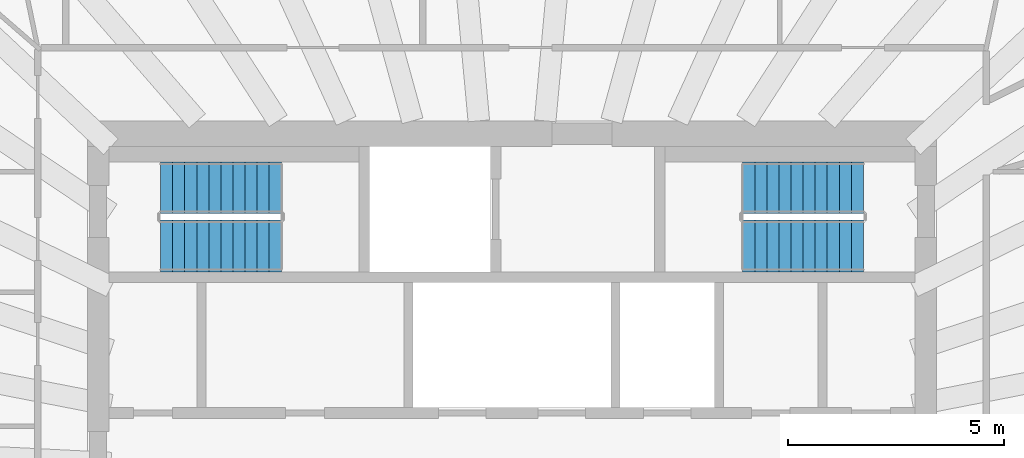
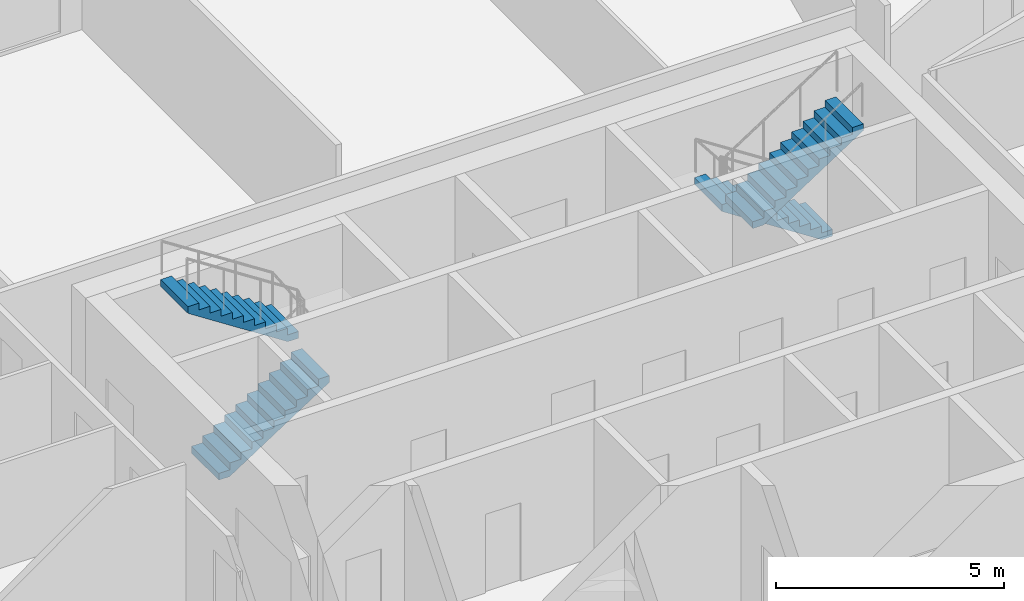
# One storey, part 8 of 12: 4 stair flights, 2 elements without a shape of their own.
"""IFC4 building model written with IfcOpenShell, lengths in metres."""

from ifc_helpers import new_model, si_unit, direction, frame, origin, place, context, subcontext, project, spatial, polyline, outline, extrude, material, layer, layer_set, type_object, element, aggregate, save


model = new_model("IFC4")

# Units and contexts
model_context = context("Model", 3, precision=1e-05, world=origin(), true_north=direction((0.0, 1.0)))
body_context = subcontext(model_context, "Body", "Model", "MODEL_VIEW")
ifc_project = project(units=[si_unit("LENGTHUNIT", "METRE"), si_unit("AREAUNIT", "SQUARE_METRE"), si_unit("VOLUMEUNIT", "CUBIC_METRE"), si_unit("PLANEANGLEUNIT", "RADIAN"), si_unit("MASSUNIT", "GRAM", prefix="KILO")], contexts=[model_context])

# Site, building, storey
site_placement = place(None, origin())
site = spatial("IfcSite", under=ifc_project, at=site_placement, CompositionType="ELEMENT")
building_placement = place(site_placement, origin())
building = spatial("IfcBuilding", under=site, at=building_placement, Name="Frailejon Research Tower", CompositionType="ELEMENT")
storey_placement = place(building_placement, frame((0.0, 0.0, 253.39990234375)))
storey = spatial("IfcBuildingStorey", under=building, at=storey_placement, Name="L55", CompositionType="ELEMENT", Elevation=253.39990234375)

# Stair, stair flights
ifc_material_1 = material(Name="Concrete C50/60", Category="concrete")
stair_type = type_object("IfcStairType", Name="Exit stair 22 risers", PredefinedType="HALF_TURN_STAIR", material=ifc_material_1)
stair_1_placement = place(storey_placement, origin())
stair_1 = element("IfcStair", 1, at=stair_1_placement, inside=storey, type_object=stair_type, Name="L55 Exit stair ST1", PredefinedType="HALF_TURN_STAIR")
ifc_material_2 = material(Name="Concrete C50/60", Category="concrete")
ifc_layer = layer(ifc_material_2, 0.14990234375)
ifc_layer_set = layer_set([ifc_layer], Name="Stair flight 11 risers")
stair_flight_type = type_object("IfcStairFlightType", Name="Stair flight 11 risers", PredefinedType="STRAIGHT", material=ifc_layer_set)
stair_flight_1_placement = place(storey_placement, frame((-8.14990234375, 5.5, 0.0), z_axis=(0.0, 0.0, 1.0), x_axis=(1.0, 0.0, 0.0)))
stair_flight_1 = element("IfcStairFlight", 2, at=stair_flight_1_placement, type_object=stair_flight_type, Name="ST1 flight 1", NumberOfRisers=11, NumberOfTreads=10, PredefinedType="STRAIGHT", RiserHeight=0.181818182, TreadLength=0.28, context=body_context, shape_type="SweptSolid", body=[
    extrude(outline(polyline([(0.0, 0.0), (0.0, 0.181884765625), (0.280029296875, 0.181884765625), (0.280029296875, 0.363525390625), (0.56005859375, 0.363525390625), (0.56005859375, 0.54541015625), (0.840087890625, 0.54541015625), (0.840087890625, 0.727294921875), (1.1201171875, 0.727294921875), (1.1201171875, 0.9091796875), (1.39990234375, 0.9091796875), (1.39990234375, 1.0908203125), (1.679931640625, 1.0908203125), (1.679931640625, 1.272705078125), (1.9599609375, 1.272705078125), (1.9599609375, 1.45458984375), (2.239990234375, 1.45458984375), (2.239990234375, 1.636474609375), (2.52001953125, 1.636474609375), (2.52001953125, 1.818115234375), (2.800048828125, 1.818115234375), (2.800048828125, 2.0), (2.800048828125, 1.639404296875), (0.275146484375, 0.0), (0.0, 0.0)])), frame((0.0, 0.60009765625, 0.0), z_axis=(0.0, -1.0, 0.0), x_axis=(1.0, 0.0, 0.0)), (0.0, 0.0, 1.0), 1.199951171875),
])
stair_flight_2_placement = place(storey_placement, frame((-5.35009765625, 6.85009765625, 2.0), z_axis=(0.0, 0.0, 1.0), x_axis=(-1.0, 0.0, 0.0)))
stair_flight_2 = element("IfcStairFlight", 3, at=stair_flight_2_placement, type_object=stair_flight_type, Name="ST1 flight 2", NumberOfRisers=11, NumberOfTreads=10, PredefinedType="STRAIGHT", RiserHeight=0.181818182, TreadLength=0.28, context=body_context, shape_type="SweptSolid", body=[
    extrude(outline(polyline([(0.0, 0.0), (0.0, 0.181884765625), (0.280029296875, 0.181884765625), (0.280029296875, 0.363525390625), (0.56005859375, 0.363525390625), (0.56005859375, 0.54541015625), (0.840087890625, 0.54541015625), (0.840087890625, 0.727294921875), (1.1201171875, 0.727294921875), (1.1201171875, 0.9091796875), (1.39990234375, 0.9091796875), (1.39990234375, 1.0908203125), (1.679931640625, 1.0908203125), (1.679931640625, 1.272705078125), (1.9599609375, 1.272705078125), (1.9599609375, 1.45458984375), (2.239990234375, 1.45458984375), (2.239990234375, 1.636474609375), (2.52001953125, 1.636474609375), (2.52001953125, 1.818115234375), (2.800048828125, 1.818115234375), (2.800048828125, 2.0), (2.800048828125, 1.639404296875), (0.275146484375, 0.0), (0.0, 0.0)])), frame((0.0, 0.60009765625, 0.0), z_axis=(0.0, -1.0, 0.0), x_axis=(1.0, 0.0, 0.0)), (0.0, 0.0, 1.0), 1.199951171875),
])
aggregate(stair_1, [stair_flight_1, stair_flight_2])

stair_2_placement = place(storey_placement, origin())
stair_2 = element("IfcStair", 4, at=stair_2_placement, inside=storey, type_object=stair_type, Name="L55 Exit stair ST3", PredefinedType="HALF_TURN_STAIR")
stair_flight_3_placement = place(storey_placement, frame((8.14990234375, 6.85009765625, 0.0), z_axis=(0.0, 0.0, 1.0), x_axis=(-1.0, 0.0, 0.0)))
stair_flight_3 = element("IfcStairFlight", 5, at=stair_flight_3_placement, type_object=stair_flight_type, Name="ST3 flight 1", NumberOfRisers=11, NumberOfTreads=10, PredefinedType="STRAIGHT", RiserHeight=0.181818182, TreadLength=0.28, context=body_context, shape_type="SweptSolid", body=[
    extrude(outline(polyline([(0.0, 0.0), (0.0, 0.181884765625), (0.280029296875, 0.181884765625), (0.280029296875, 0.363525390625), (0.56005859375, 0.363525390625), (0.56005859375, 0.54541015625), (0.840087890625, 0.54541015625), (0.840087890625, 0.727294921875), (1.1201171875, 0.727294921875), (1.1201171875, 0.9091796875), (1.39990234375, 0.9091796875), (1.39990234375, 1.0908203125), (1.679931640625, 1.0908203125), (1.679931640625, 1.272705078125), (1.9599609375, 1.272705078125), (1.9599609375, 1.45458984375), (2.239990234375, 1.45458984375), (2.239990234375, 1.636474609375), (2.52001953125, 1.636474609375), (2.52001953125, 1.818115234375), (2.800048828125, 1.818115234375), (2.800048828125, 2.0), (2.800048828125, 1.639404296875), (0.275146484375, 0.0), (0.0, 0.0)])), frame((0.0, 0.60009765625, 0.0), z_axis=(0.0, -1.0, 0.0), x_axis=(1.0, 0.0, 0.0)), (0.0, 0.0, 1.0), 1.199951171875),
])
stair_flight_4_placement = place(storey_placement, frame((5.35009765625, 5.5, 2.0), z_axis=(0.0, 0.0, 1.0), x_axis=(1.0, 0.0, 0.0)))
stair_flight_4 = element("IfcStairFlight", 6, at=stair_flight_4_placement, type_object=stair_flight_type, Name="ST3 flight 2", NumberOfRisers=11, NumberOfTreads=10, PredefinedType="STRAIGHT", RiserHeight=0.181818182, TreadLength=0.28, context=body_context, shape_type="SweptSolid", body=[
    extrude(outline(polyline([(0.0, 0.0), (0.0, 0.181884765625), (0.280029296875, 0.181884765625), (0.280029296875, 0.363525390625), (0.56005859375, 0.363525390625), (0.56005859375, 0.54541015625), (0.840087890625, 0.54541015625), (0.840087890625, 0.727294921875), (1.1201171875, 0.727294921875), (1.1201171875, 0.9091796875), (1.39990234375, 0.9091796875), (1.39990234375, 1.0908203125), (1.679931640625, 1.0908203125), (1.679931640625, 1.272705078125), (1.9599609375, 1.272705078125), (1.9599609375, 1.45458984375), (2.239990234375, 1.45458984375), (2.239990234375, 1.636474609375), (2.52001953125, 1.636474609375), (2.52001953125, 1.818115234375), (2.800048828125, 1.818115234375), (2.800048828125, 2.0), (2.800048828125, 1.639404296875), (0.275146484375, 0.0), (0.0, 0.0)])), frame((0.0, 0.60009765625, 0.0), z_axis=(0.0, -1.0, 0.0), x_axis=(1.0, 0.0, 0.0)), (0.0, 0.0, 1.0), 1.199951171875),
])
aggregate(stair_2, [stair_flight_3, stair_flight_4])

save(model, "model.ifc")
